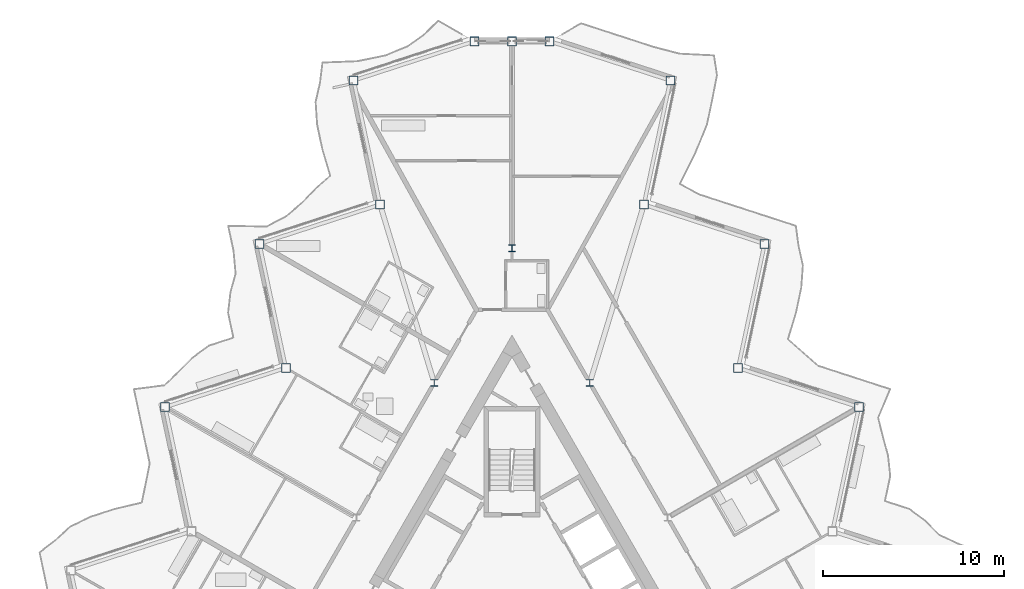
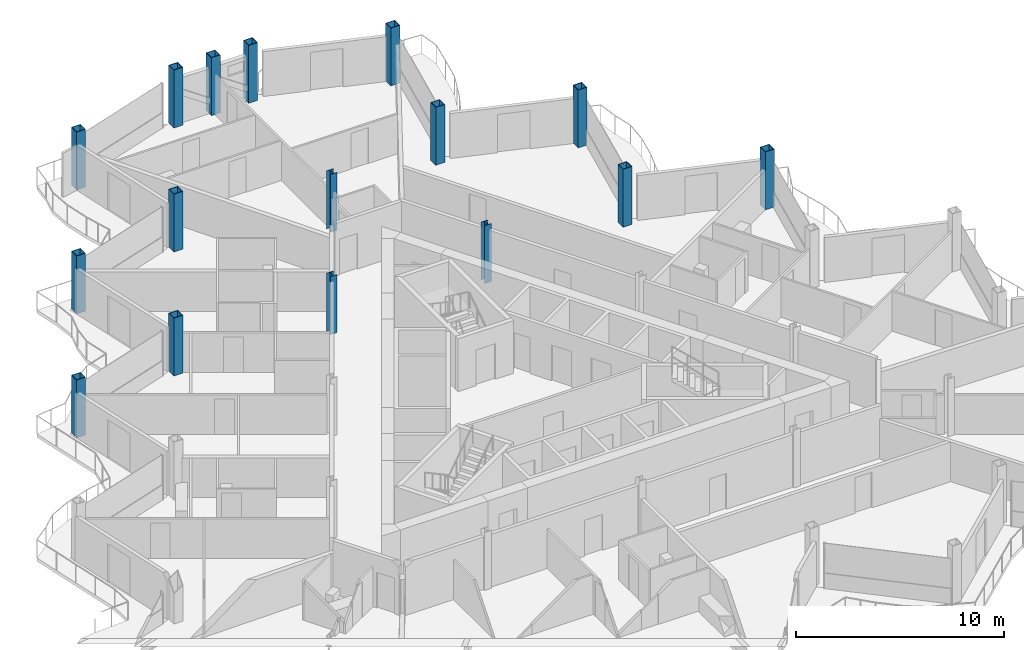
# One storey, part 3 of 26: 16 columns.
"""IFC4 building model written with IfcOpenShell, lengths in metres."""

from ifc_helpers import new_model, si_unit, direction, frame, origin, origin_2d, place, context, subcontext, project, spatial, hollow_rectangle, i_section, extrude, material, material_profile, profile_set, type_object, element, save


model = new_model("IFC4")

# Units and contexts
model_context = context("Model", 3, precision=1e-05, world=origin(), true_north=direction((0.0, 1.0)))
body_context = subcontext(model_context, "Body", "Model", "MODEL_VIEW")
ifc_project = project(units=[si_unit("LENGTHUNIT", "METRE"), si_unit("AREAUNIT", "SQUARE_METRE"), si_unit("VOLUMEUNIT", "CUBIC_METRE"), si_unit("PLANEANGLEUNIT", "RADIAN"), si_unit("MASSUNIT", "GRAM", prefix="KILO")], contexts=[model_context])

# Site, building, storey
site_placement = place(None, origin())
site = spatial("IfcSite", under=ifc_project, at=site_placement, CompositionType="ELEMENT")
building_placement = place(site_placement, origin())
building = spatial("IfcBuilding", under=site, at=building_placement, Name="Cormorant Prow Tower", CompositionType="ELEMENT")
storey_placement = place(building_placement, frame((0.0, 0.0, 388.199951171875)))
storey = spatial("IfcBuildingStorey", under=building, at=storey_placement, Name="L88", CompositionType="ELEMENT", Elevation=388.199951171875)

# Columns
ifc_material_1 = material(Name="Structural steel ASTM A572 Gr 50", Category="steel")
ifc_material_profile_1 = material_profile(ifc_material_1, hollow_rectangle(XDim=0.5, YDim=0.5, WallThickness=0.030029296875, at=origin_2d()), Name="Box 500x500x30")
ifc_profile_set_1 = profile_set([ifc_material_profile_1], Name="Structural steel ASTM A572 Gr 50")
column_type_1 = type_object("IfcColumnType", Name="Perimeter box column 500x500x30", PredefinedType="COLUMN", material=ifc_profile_set_1)
for number, where, z_axis, x_axis, name in (
    (1, (19.128662109375, 11.0439453125, 0.0), (0.0, 0.0, 1.0), (1.0, 0.0, 0.0), "Perimeter column C7 at ENE05 L88"),
    (2, (12.473876953125, 13.206298828125, 0.0), (0.0, 0.0, 1.0), (1.0, 0.0, 0.0), "Perimeter column C7 at ENE06 L88"),
    (3, (13.9287109375, 20.050537109375, 0.0), (0.0, 0.0, 1.0), (1.0, 0.0, 0.0), "Perimeter column C7 at ENE07 L88"),
    (4, (7.273681640625, 22.212890625, 0.0), (0.0, 0.0, 1.0), (1.0, 0.0, 0.0), "Perimeter column C7 at ENE08 L88"),
    (5, (8.728515625, 29.05712890625, 0.0), (0.0, 0.0, 1.0), (1.0, 0.0, 0.0), "Perimeter column C7 at ENE09 L88"),
    (6, (2.07373046875, 31.219482421875, 0.0), (0.0, 0.0, 1.0), (1.0, 0.0, 0.0), "Perimeter column C7 at N00 L88"),
    (7, (0.0, 31.219482421875, 0.0), (0.0, 0.0, 1.0), (1.0, 0.0, 0.0), "Perimeter column C7 at N01 L88"),
    (8, (-2.07373046875, 31.219482421875, 0.0), (0.0, 0.0, 1.0), (1.0, 0.0, 0.0), "Perimeter column C7 at WNW00 L88"),
    (9, (-8.728515625, 29.05712890625, 0.0), (0.0, 0.0, 1.0), (1.0, 0.0, 0.0), "Perimeter column C7 at WNW01 L88"),
    (10, (-7.273681640625, 22.212890625, 0.0), (0.0, 0.0, 1.0), (1.0, 0.0, 0.0), "Perimeter column C7 at WNW02 L88"),
    (11, (-13.9287109375, 20.050537109375, 0.0), (0.0, 0.0, 1.0), (1.0, 0.0, 0.0), "Perimeter column C7 at WNW03 L88"),
    (12, (-12.473876953125, 13.206298828125, 0.0), (0.0, 0.0, 1.0), (1.0, 0.0, 0.0), "Perimeter column C7 at WNW04 L88"),
    (13, (-19.128662109375, 11.0439453125, 0.0), (0.0, 0.0, 1.0), (1.0, 0.0, 0.0), "Perimeter column C7 at WNW05 L88"),
):
    element("IfcColumn", number, at=place(storey_placement, frame(where, z_axis=z_axis, x_axis=x_axis)), inside=storey, type_object=column_type_1, Name=name, PredefinedType="COLUMN", context=body_context, shape_type="SweptSolid", body=[
        extrude(hollow_rectangle(XDim=0.5, YDim=0.5, WallThickness=0.030029296875, at=origin_2d()), origin(), (0.0, 0.0, 1.0), 3.400146484375),
    ])
ifc_material_2 = material(Name="Structural steel ASTM A992 Gr 50", Category="steel")
ifc_material_profile_2 = material_profile(ifc_material_2, i_section(OverallWidth=0.3740234375, OverallDepth=0.372314453125, WebThickness=0.016357421875, FlangeThickness=0.026123046875, at=origin_2d()), Name="W14x132")
ifc_profile_set_2 = profile_set([ifc_material_profile_2], Name="Structural steel ASTM A992 Gr 50")
column_type_2 = type_object("IfcColumnType", Name="Ring column W14x132", PredefinedType="COLUMN", material=ifc_profile_set_2)
for number, where, z_axis, x_axis, name in (
    (14, (0.0, 19.81103515625, 0.0), (0.0, 0.0, 1.0), (1.0, 0.0, 0.0), "Ring column 1 L88"),
    (15, (-4.289306640625, 12.3818359375, 0.0), (0.0, 0.0, 1.0), (1.0, 0.0, 0.0), "Ring column 2 L88"),
    (16, (4.289306640625, 12.3818359375, 0.0), (0.0, 0.0, 1.0), (1.0, 0.0, 0.0), "Ring column 12 L88"),
):
    element("IfcColumn", number, at=place(storey_placement, frame(where, z_axis=z_axis, x_axis=x_axis)), inside=storey, type_object=column_type_2, Name=name, PredefinedType="COLUMN", context=body_context, shape_type="SweptSolid", body=[
        extrude(i_section(OverallWidth=0.3740234375, OverallDepth=0.372314453125, WebThickness=0.016357421875, FlangeThickness=0.026123046875, at=origin_2d()), origin(), (0.0, 0.0, 1.0), 3.400146484375),
    ])

save(model, "model.ifc")
